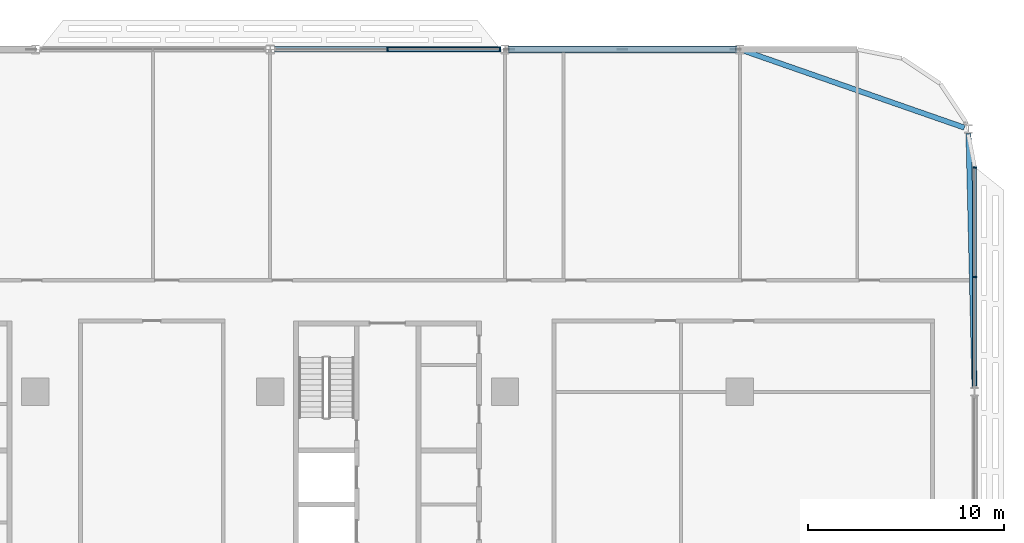
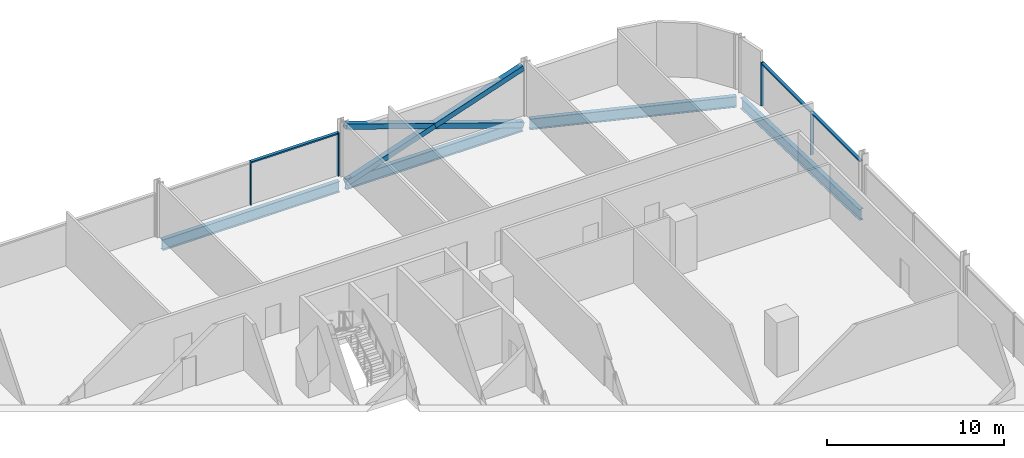
# One storey, part 10 of 29: 10 members, 4 beams, 2 elements without a shape of their own.
"""IFC4 building model written with IfcOpenShell, lengths in metres."""

from ifc_helpers import new_model, si_unit, direction, frame, origin, origin_2d, place, context, subcontext, project, spatial, rectangle, hollow_rectangle, i_section, extrude, material, material_profile, profile_set, type_object, element, aggregate, save


model = new_model("IFC4")

# Units and contexts
model_context = context("Model", 3, precision=1e-05, world=origin(), true_north=direction((0.0, 1.0)))
body_context = subcontext(model_context, "Body", "Model", "MODEL_VIEW")
ifc_project = project(units=[si_unit("LENGTHUNIT", "METRE"), si_unit("AREAUNIT", "SQUARE_METRE"), si_unit("VOLUMEUNIT", "CUBIC_METRE"), si_unit("PLANEANGLEUNIT", "RADIAN"), si_unit("MASSUNIT", "GRAM", prefix="KILO")], contexts=[model_context])

# Site, building, storey
site_placement = place(None, origin())
site = spatial("IfcSite", under=ifc_project, at=site_placement, CompositionType="ELEMENT")
building_placement = place(site_placement, origin())
building = spatial("IfcBuilding", under=site, at=building_placement, Name="Mahtab Terrace Research Tower", CompositionType="ELEMENT")
storey_placement = place(building_placement, frame((0.0, 0.0, 93.0)))
storey = spatial("IfcBuildingStorey", under=building, at=storey_placement, Name="L21", CompositionType="ELEMENT", Elevation=93.0)

# Members
ifc_material_1 = material(Name="Steel ASTM A500 Gr C", Category="steel")
ifc_material_profile_1 = material_profile(ifc_material_1, hollow_rectangle(XDim=0.355712890625, YDim=0.355712890625, WallThickness=0.01904296875, at=origin_2d()), Name="HSS14X14X3/4")
ifc_profile_set_1 = profile_set([ifc_material_profile_1], Name="Steel ASTM A500 Gr C")
member_type_1 = type_object("IfcMemberType", Name="HSS 14x14x3/4 brace XB141434", PredefinedType="BRACE", material=ifc_profile_set_1)
member_1_placement = place(storey_placement, frame((41.79052734375, 29.0, -0.64697265625), z_axis=(-0.946286750388, 0.0, 0.323328603809), x_axis=(0.0, -1.0, 0.0)))
element("IfcMember", 1, at=member_1_placement, inside=storey, type_object=member_type_1, Name="Exoskeleton brace L21 02 a", PredefinedType="BRACE", context=body_context, shape_type="SweptSolid", body=[
    extrude(hollow_rectangle(XDim=0.355712890625, YDim=0.355712890625, WallThickness=0.01904296875, at=origin_2d()), origin(), (0.0, 0.0, 1.0), 12.238525390625),
])
for number, where, z_axis, x_axis, name in (
    (2, (30.20947265625, 29.0, -0.64697265625), (0.946286750388, 0.0, 0.323328603809), (0.0, 1.0, 0.0), "Exoskeleton brace L21 02 b1"),
    (3, (36.0, 29.0, 1.33154296875), (0.946286750388, 0.0, 0.323328603809), (0.0, 1.0, 0.0), "Exoskeleton brace L21 02 b2"),
):
    element("IfcMember", number, at=place(storey_placement, frame(where, z_axis=z_axis, x_axis=x_axis)), inside=storey, type_object=member_type_1, Name=name, PredefinedType="BRACE", context=body_context, shape_type="SweptSolid", body=[
        extrude(hollow_rectangle(XDim=0.355712890625, YDim=0.355712890625, WallThickness=0.01904296875, at=origin_2d()), origin(), (0.0, 0.0, 1.0), 6.119140625),
    ])

# Curtain wall, members
ifc_material_2 = material(Name="Laboratory ribbon curtain wall")
curtain_wall_type = type_object("IfcCurtainWallType", Name="Laboratory ribbon curtain wall", PredefinedType="NOTDEFINED", material=ifc_material_2)
curtain_wall_1_placement = place(storey_placement, origin())
curtain_wall_1 = element("IfcCurtainWall", 4, at=curtain_wall_1_placement, inside=storey, type_object=curtain_wall_type, Name="EN.L21.3.5", PredefinedType="NOTDEFINED")
ifc_material_3 = material(Name="Natural anodised aluminium", Category="aluminium")
ifc_material_profile_2 = material_profile(ifc_material_3, rectangle(XDim=0.199951171875, YDim=0.06494140625, at=origin_2d()), Name="MULLION 65x200")
ifc_profile_set_2 = profile_set([ifc_material_profile_2], Name="Natural anodised aluminium")
member_type_2 = type_object("IfcMemberType", Name="Laboratory ribbon curtain wall mullion", PredefinedType="MULLION", material=ifc_profile_set_2)
member_2_placement = place(storey_placement, frame((29.739501953125, 29.0, 0.0), z_axis=(0.0, 0.0, 1.0), x_axis=(0.0, -1.0, 0.0)))
member_2 = element("IfcMember", 5, at=member_2_placement, type_object=member_type_2, Name="CWL-3 mullion 1", PredefinedType="MULLION", context=body_context, shape_type="SweptSolid", body=[
    extrude(rectangle(XDim=0.199951171875, YDim=0.06494140625, at=origin_2d()), origin(), (0.0, 0.0, 1.0), 3.003173828125),
])
member_3_placement = place(storey_placement, frame((24.0, 29.0, 0.0), z_axis=(0.0, 0.0, 1.0), x_axis=(0.0, -1.0, 0.0)))
member_3 = element("IfcMember", 6, at=member_3_placement, type_object=member_type_2, Name="CWL-3 mullion 2", PredefinedType="MULLION", context=body_context, shape_type="SweptSolid", body=[
    extrude(rectangle(XDim=0.199951171875, YDim=0.06494140625, at=origin_2d()), origin(), (0.0, 0.0, 1.0), 3.003173828125),
])

curtain_wall_2_placement = place(storey_placement, origin())
curtain_wall_2 = element("IfcCurtainWall", 7, at=curtain_wall_2_placement, inside=storey, type_object=curtain_wall_type, Name="EN.L21.18.38", PredefinedType="NOTDEFINED")
member_4_placement = place(storey_placement, frame((54.0, 17.364013671875, 0.0), z_axis=(0.0, 0.0, 1.0), x_axis=(-1.0, 0.0, 0.0)))
member_4 = element("IfcMember", 8, at=member_4_placement, type_object=member_type_2, Name="CWL-3 mullion 2", PredefinedType="MULLION", context=body_context, shape_type="SweptSolid", body=[
    extrude(rectangle(XDim=0.199951171875, YDim=0.06494140625, at=origin_2d()), origin(), (0.0, 0.0, 1.0), 3.003173828125),
])
member_5_placement = place(storey_placement, frame((54.0, 22.967529296875, 0.0), z_axis=(0.0, 0.0, 1.0), x_axis=(-1.0, 0.0, 0.0)))
member_5 = element("IfcMember", 9, at=member_5_placement, type_object=member_type_2, Name="CWL-3 mullion 3", PredefinedType="MULLION", context=body_context, shape_type="SweptSolid", body=[
    extrude(rectangle(XDim=0.199951171875, YDim=0.06494140625, at=origin_2d()), origin(), (0.0, 0.0, 1.0), 3.003173828125),
])

# Member
ifc_material_profile_3 = material_profile(ifc_material_3, rectangle(XDim=0.199951171875, YDim=0.10009765625, at=origin_2d()), Name="TRANSOM 100x200")
ifc_profile_set_3 = profile_set([ifc_material_profile_3], Name="Natural anodised aluminium")
member_type_3 = type_object("IfcMemberType", Name="Laboratory ribbon curtain wall transom", PredefinedType="USERDEFINED", material=ifc_profile_set_3)
member_6_placement = place(storey_placement, frame((29.70703125, 29.0, 2.953125), z_axis=(-1.0, 0.0, 0.0), x_axis=(0.0, -1.0, 0.0)))
member_6 = element("IfcMember", 10, at=member_6_placement, type_object=member_type_3, Name="CWL-3 transom 1", ObjectType="TRANSOM", PredefinedType="USERDEFINED", context=body_context, shape_type="SweptSolid", body=[
    extrude(rectangle(XDim=0.199951171875, YDim=0.10009765625, at=origin_2d()), origin(), (0.0, 0.0, 1.0), 5.674560546875),
])

aggregate(curtain_wall_1, [member_2, member_3, member_6])

member_7_placement = place(storey_placement, frame((54.0, 11.79296875, 2.953125), z_axis=(0.0, 1.0, 0.0), x_axis=(-1.0, 0.0, 0.0)))
member_7 = element("IfcMember", 11, at=member_7_placement, type_object=member_type_3, Name="CWL-3 transom 1", ObjectType="TRANSOM", PredefinedType="USERDEFINED", context=body_context, shape_type="SweptSolid", body=[
    extrude(rectangle(XDim=0.199951171875, YDim=0.10009765625, at=origin_2d()), origin(), (0.0, 0.0, 1.0), 5.53857421875),
])

member_8_placement = place(storey_placement, frame((54.0, 17.396484375, 2.953125), z_axis=(0.0, 1.0, 0.0), x_axis=(-1.0, 0.0, 0.0)))
member_8 = element("IfcMember", 12, at=member_8_placement, type_object=member_type_3, Name="CWL-3 transom 2", ObjectType="TRANSOM", PredefinedType="USERDEFINED", context=body_context, shape_type="SweptSolid", body=[
    extrude(rectangle(XDim=0.199951171875, YDim=0.10009765625, at=origin_2d()), origin(), (0.0, 0.0, 1.0), 5.53857421875),
])

aggregate(curtain_wall_2, [member_4, member_5, member_7, member_8])

# Beams
ifc_material_4 = material(Name="Steel ASTM A992 Gr 50", Category="steel")
ifc_material_profile_4 = material_profile(ifc_material_4, i_section(OverallWidth=0.2666015625, OverallDepth=0.7568359375, WebThickness=0.013916015625, FlangeThickness=0.019287109375, at=origin_2d()), Name="W30X108")
ifc_profile_set_4 = profile_set([ifc_material_profile_4], Name="Steel ASTM A992 Gr 50")
beam_type = type_object("IfcBeamType", Name="W30x108 beam BS30108", PredefinedType="BEAM", material=ifc_profile_set_4)
beam_1_placement = place(storey_placement, frame((53.472412109375, 25.0, -0.718505859375), z_axis=(-0.944250501583, 0.32922786981, 0.0), x_axis=(-0.32922786981, -0.944250501583, 0.0)))
element("IfcBeam", 13, at=beam_1_placement, inside=storey, type_object=beam_type, Name="Spandrel beam L21 01", PredefinedType="BEAM", context=body_context, shape_type="SweptSolid", body=[
    extrude(i_section(OverallWidth=0.2666015625, OverallDepth=0.7568359375, WebThickness=0.013916015625, FlangeThickness=0.019287109375, at=origin_2d()), origin(), (0.0, 0.0, 1.0), 11.927978515625),
])
for number, where, z_axis, x_axis, name in (
    (14, (41.79052734375, 29.0, -0.718505859375), (-1.0, 0.0, 0.0), (0.0, -1.0, 0.0), "Spandrel beam L21 02"),
    (15, (29.79052734375, 29.0, -0.718505859375), (-1.0, 0.0, 0.0), (0.0, -1.0, 0.0), "Spandrel beam L21 03"),
):
    element("IfcBeam", number, at=place(storey_placement, frame(where, z_axis=z_axis, x_axis=x_axis)), inside=storey, type_object=beam_type, Name=name, PredefinedType="BEAM", context=body_context, shape_type="SweptSolid", body=[
        extrude(i_section(OverallWidth=0.2666015625, OverallDepth=0.7568359375, WebThickness=0.013916015625, FlangeThickness=0.019287109375, at=origin_2d()), origin(), (0.0, 0.0, 1.0), 11.5810546875),
    ])
beam_2_placement = place(storey_placement, frame((53.99462890625, 11.727294921875, -0.718505859375), z_axis=(-0.023668910773, 0.99971985209, 0.0), x_axis=(-0.99971985209, -0.023668910773, 0.0)))
element("IfcBeam", 16, at=beam_2_placement, inside=storey, type_object=beam_type, Name="Spandrel beam L21 22", PredefinedType="BEAM", context=body_context, shape_type="SweptSolid", body=[
    extrude(i_section(OverallWidth=0.2666015625, OverallDepth=0.7568359375, WebThickness=0.013916015625, FlangeThickness=0.019287109375, at=origin_2d()), origin(), (0.0, 0.0, 1.0), 12.97607421875),
])

save(model, "model.ifc")
